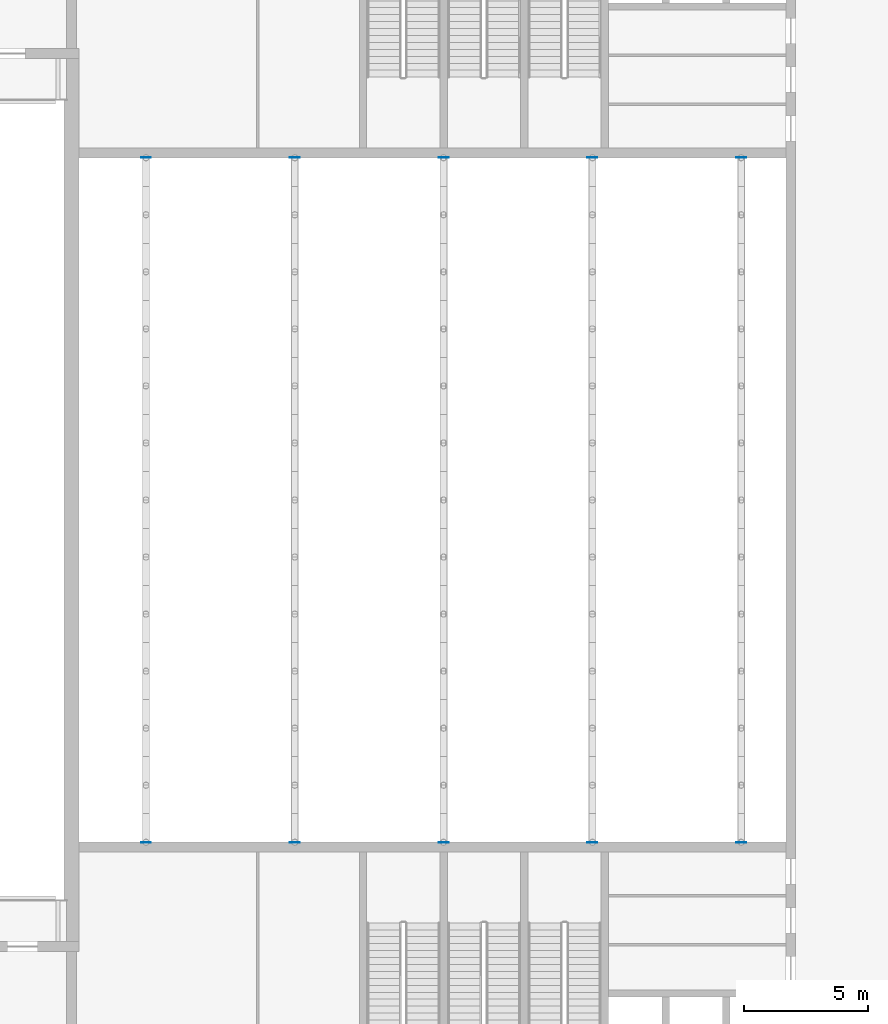
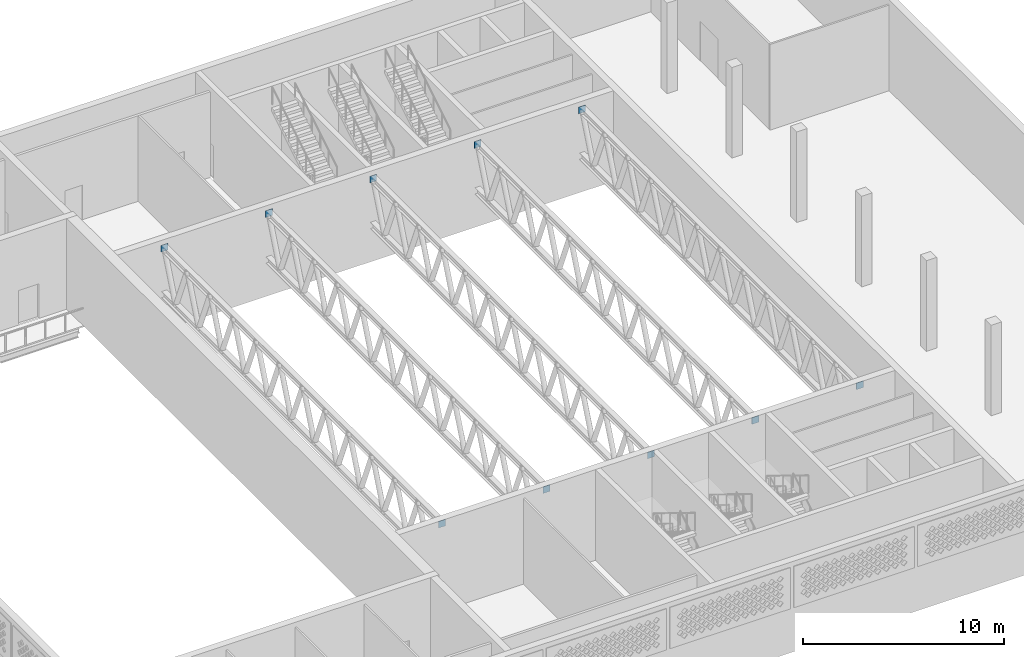
# One storey, part 9 of 69: 10 plates.
"""IFC4 building model written with IfcOpenShell, lengths in metres."""

from ifc_helpers import new_model, si_unit, direction, frame, origin, origin_2d, place, context, subcontext, project, spatial, rectangle, extrude, material, layer, layer_set, type_object, element, save


model = new_model("IFC4")

# Units and contexts
model_context = context("Model", 3, precision=1e-05, world=origin(), true_north=direction((0.0, 1.0)))
body_context = subcontext(model_context, "Body", "Model", "MODEL_VIEW")
ifc_project = project(units=[si_unit("LENGTHUNIT", "METRE"), si_unit("AREAUNIT", "SQUARE_METRE"), si_unit("VOLUMEUNIT", "CUBIC_METRE"), si_unit("PLANEANGLEUNIT", "RADIAN"), si_unit("MASSUNIT", "GRAM", prefix="KILO")], contexts=[model_context])

# Site, building, storey
site_placement = place(None, origin())
site = spatial("IfcSite", under=ifc_project, at=site_placement, CompositionType="ELEMENT")
building_placement = place(site_placement, origin())
building = spatial("IfcBuilding", under=site, at=building_placement, Name="Noorbagh Ring Tower", CompositionType="ELEMENT")
storey_placement = place(building_placement, frame((0.0, 0.0, 19.5)))
storey = spatial("IfcBuildingStorey", under=building, at=storey_placement, Name="L03", CompositionType="ELEMENT", Elevation=19.5)

# Plates
ifc_material = material(Name="Steel S355 cast-in plate", Category="steel")
ifc_layer = layer(ifc_material, 0.02490234375)
ifc_layer_set = layer_set([ifc_layer], Name="Steel S355 cast-in plate")
plate_type = type_object("IfcPlateType", Name="TH-PLATE-EMBED", PredefinedType="SHEET", material=ifc_layer_set)
for number, where, z_axis, x_axis, name in (
    (1, (-137.0, -8.8125, 4.800048828125), (0.0, 0.0, 1.0), (1.0, 0.0, 0.0), "Cast-in plate truss 1 south"),
    (2, (-137.0, 18.8125, 4.800048828125), (0.0, 0.0, 1.0), (1.0, 0.0, 0.0), "Cast-in plate truss 1 north"),
    (3, (-131.0, -8.8125, 4.800048828125), (0.0, 0.0, 1.0), (1.0, 0.0, 0.0), "Cast-in plate truss 2 south"),
    (4, (-131.0, 18.8125, 4.800048828125), (0.0, 0.0, 1.0), (1.0, 0.0, 0.0), "Cast-in plate truss 2 north"),
    (5, (-125.0, -8.8125, 4.800048828125), (0.0, 0.0, 1.0), (1.0, 0.0, 0.0), "Cast-in plate truss 3 south"),
    (6, (-125.0, 18.8125, 4.800048828125), (0.0, 0.0, 1.0), (1.0, 0.0, 0.0), "Cast-in plate truss 3 north"),
    (7, (-119.0, -8.8125, 4.800048828125), (0.0, 0.0, 1.0), (1.0, 0.0, 0.0), "Cast-in plate truss 4 south"),
    (8, (-119.0, 18.8125, 4.800048828125), (0.0, 0.0, 1.0), (1.0, 0.0, 0.0), "Cast-in plate truss 4 north"),
    (9, (-113.0, -8.8125, 4.800048828125), (0.0, 0.0, 1.0), (1.0, 0.0, 0.0), "Cast-in plate truss 5 south"),
    (10, (-113.0, 18.8125, 4.800048828125), (0.0, 0.0, 1.0), (1.0, 0.0, 0.0), "Cast-in plate truss 5 north"),
):
    element("IfcPlate", number, at=place(storey_placement, frame(where, z_axis=z_axis, x_axis=x_axis)), inside=storey, type_object=plate_type, Name=name, PredefinedType="SHEET", context=body_context, shape_type="SweptSolid", body=[
        extrude(rectangle(XDim=0.39990234375, YDim=0.02490234375, at=origin_2d()), origin(), (0.0, 0.0, 1.0), 0.39990234375),
    ])

save(model, "model.ifc")
